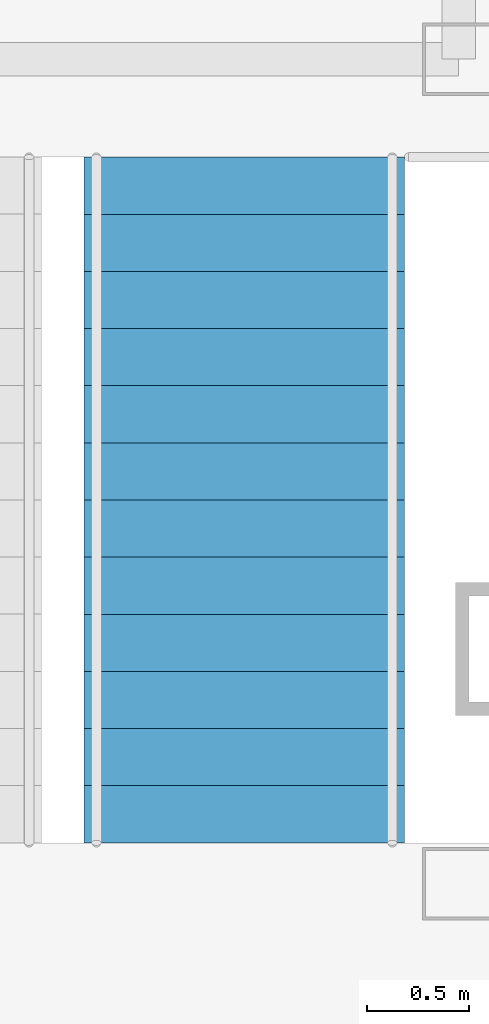
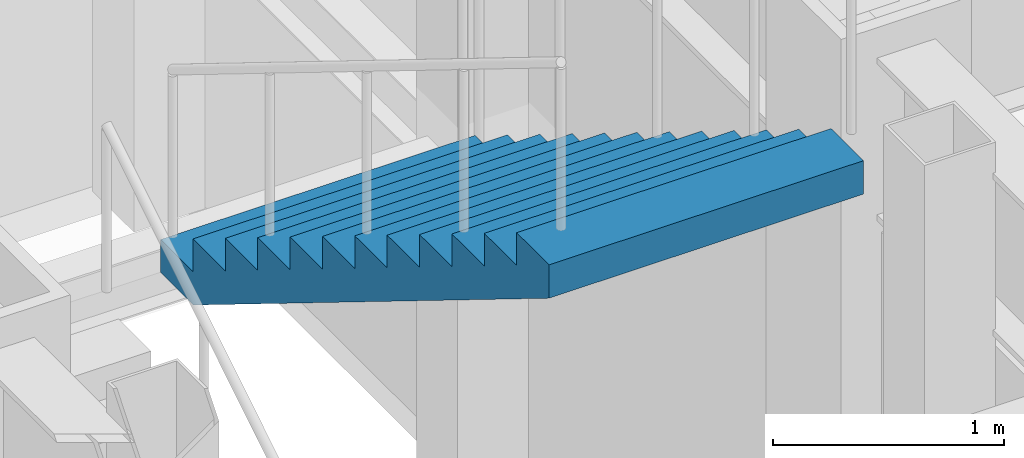
# One storey, part 13 of 24: 1 stair flight, 1 element without a shape of its own.
"""IFC4 building model written with IfcOpenShell, lengths in metres."""

from ifc_helpers import new_model, si_unit, direction, frame, origin, place, context, subcontext, project, spatial, faceted_brep, material, type_object, element, aggregate, save


model = new_model("IFC4")

# Units and contexts
model_context = context("Model", 3, precision=1e-05, world=origin(), true_north=direction((0.0, 1.0)))
body_context = subcontext(model_context, "Body", "Model", "MODEL_VIEW")
ifc_project = project(units=[si_unit("LENGTHUNIT", "METRE"), si_unit("AREAUNIT", "SQUARE_METRE"), si_unit("VOLUMEUNIT", "CUBIC_METRE"), si_unit("PLANEANGLEUNIT", "RADIAN"), si_unit("MASSUNIT", "GRAM", prefix="KILO")], contexts=[model_context])

# Site, building, storey
site_placement = place(None, origin())
site = spatial("IfcSite", under=ifc_project, at=site_placement, CompositionType="ELEMENT")
building_placement = place(site_placement, origin())
building = spatial("IfcBuilding", under=site, at=building_placement, Name="Chuquiago Exchange Tower", CompositionType="ELEMENT")
storey_placement = place(building_placement, frame((0.0, 0.0, 180.0)))
storey = spatial("IfcBuildingStorey", under=building, at=storey_placement, Name="L39", CompositionType="ELEMENT", Elevation=180.0)

# Stair, stair flight
ifc_material_1 = material(Name="Concrete C30/37, precast", Category="concrete")
stair_type = type_object("IfcStairType", Name="ST2 half-turn stair 4500", PredefinedType="HALF_TURN_STAIR", material=ifc_material_1)
stair_placement = place(storey_placement, origin())
stair = element("IfcStair", 1, at=stair_placement, inside=storey, type_object=stair_type, Name="Stair ST2 L39", PredefinedType="HALF_TURN_STAIR")
ifc_material_2 = material(Name="Concrete C30/37, precast", Category="concrete")
stair_flight_type = type_object("IfcStairFlightType", Name="ST-F flight 1570 for 4500 storey", PredefinedType="STRAIGHT", material=ifc_material_2)
stair_flight_placement = place(storey_placement, frame((31.639892578125, 26.409912109375, 2.25), z_axis=(0.0, 0.0, 1.0), x_axis=(0.0, -1.0, 0.0)))
stair_flight = element("IfcStairFlight", 2, at=stair_flight_placement, type_object=stair_flight_type, Name="ST2 flight 2", NumberOfRisers=13, NumberOfTreads=12, PredefinedType="STRAIGHT", RiserHeight=0.173076923, TreadLength=0.28, context=body_context, shape_type="Brep", body=[
    faceted_brep([(0.0, 0.78515625, 0.0), (0.0, 0.78515625, 0.173095703125), (0.280029296875, 0.78515625, 0.173095703125), (0.280029296875, 0.78515625, 0.34619140625), (0.56005859375, 0.78515625, 0.34619140625), (0.56005859375, 0.78515625, 0.519287109375), (0.840087890625, 0.78515625, 0.519287109375), (0.840087890625, 0.78515625, 0.6923828125), (1.1201171875, 0.78515625, 0.6923828125), (1.1201171875, 0.78515625, 0.865478515625), (1.39990234375, 0.78515625, 0.865478515625), (1.39990234375, 0.78515625, 1.03857421875), (1.679931640625, 0.78515625, 1.03857421875), (1.679931640625, 0.78515625, 1.21142578125), (1.9599609375, 0.78515625, 1.21142578125), (1.9599609375, 0.78515625, 1.384521484375), (2.239990234375, 0.78515625, 1.384521484375), (2.239990234375, 0.78515625, 1.5576171875), (2.52001953125, 0.78515625, 1.5576171875), (2.52001953125, 0.78515625, 1.730712890625), (2.800048828125, 0.78515625, 1.730712890625), (2.800048828125, 0.78515625, 1.90380859375), (3.080078125, 0.78515625, 1.90380859375), (3.080078125, 0.78515625, 2.076904296875), (3.360107421875, 0.78515625, 2.076904296875), (3.360107421875, 0.78515625, 1.900634765625), (0.28515625, 0.78515625, 0.0), (0.28515625, -0.78515625, 0.0), (3.360107421875, -0.78515625, 1.900634765625), (3.360107421875, -0.78515625, 2.076904296875), (3.080078125, -0.78515625, 2.076904296875), (3.080078125, -0.78515625, 1.90380859375), (2.800048828125, -0.78515625, 1.90380859375), (2.800048828125, -0.78515625, 1.730712890625), (2.52001953125, -0.78515625, 1.730712890625), (2.52001953125, -0.78515625, 1.5576171875), (2.239990234375, -0.78515625, 1.5576171875), (2.239990234375, -0.78515625, 1.384521484375), (1.9599609375, -0.78515625, 1.384521484375), (1.9599609375, -0.78515625, 1.21142578125), (1.679931640625, -0.78515625, 1.21142578125), (1.679931640625, -0.78515625, 1.03857421875), (1.39990234375, -0.78515625, 1.03857421875), (1.39990234375, -0.78515625, 0.865478515625), (1.1201171875, -0.78515625, 0.865478515625), (1.1201171875, -0.78515625, 0.6923828125), (0.840087890625, -0.78515625, 0.6923828125), (0.840087890625, -0.78515625, 0.519287109375), (0.56005859375, -0.78515625, 0.519287109375), (0.56005859375, -0.78515625, 0.34619140625), (0.280029296875, -0.78515625, 0.34619140625), (0.280029296875, -0.78515625, 0.173095703125), (0.0, -0.78515625, 0.173095703125), (0.0, -0.78515625, 0.0), (0.0, 0.392578125, 0.0), (0.0, 0.392578125, 0.173095703125), (0.0, 0.0, 0.0), (0.0, 0.0, 0.173095703125), (0.0, -0.392578125, 0.0), (0.0, -0.392578125, 0.173095703125), (0.280029296875, 0.392578125, 0.173095703125), (0.280029296875, 0.0, 0.173095703125), (0.280029296875, -0.392578125, 0.173095703125), (0.280029296875, 0.392578125, 0.34619140625), (0.280029296875, 0.0, 0.34619140625), (0.280029296875, -0.392578125, 0.34619140625), (0.56005859375, 0.392578125, 0.34619140625), (0.56005859375, 0.0, 0.34619140625), (0.56005859375, -0.392578125, 0.34619140625), (0.56005859375, 0.392578125, 0.519287109375), (0.56005859375, 0.0, 0.519287109375), (0.56005859375, -0.392578125, 0.519287109375), (0.840087890625, 0.392578125, 0.519287109375), (0.840087890625, 0.0, 0.519287109375), (0.840087890625, -0.392578125, 0.519287109375), (0.840087890625, 0.392578125, 0.6923828125), (0.840087890625, 0.0, 0.6923828125), (0.840087890625, -0.392578125, 0.6923828125), (1.1201171875, 0.392578125, 0.6923828125), (1.1201171875, 0.0, 0.6923828125), (1.1201171875, -0.392578125, 0.6923828125), (1.1201171875, 0.392578125, 0.865478515625), (1.1201171875, 0.0, 0.865478515625), (1.1201171875, -0.392578125, 0.865478515625), (1.39990234375, 0.392578125, 0.865478515625), (1.39990234375, 0.0, 0.865478515625), (1.39990234375, -0.392578125, 0.865478515625), (1.39990234375, 0.392578125, 1.03857421875), (1.39990234375, 0.0, 1.03857421875), (1.39990234375, -0.392578125, 1.03857421875), (1.679931640625, 0.392578125, 1.03857421875), (1.679931640625, 0.0, 1.03857421875), (1.679931640625, -0.392578125, 1.03857421875), (1.679931640625, 0.392578125, 1.21142578125), (1.679931640625, 0.0, 1.21142578125), (1.679931640625, -0.392578125, 1.21142578125), (1.9599609375, 0.392578125, 1.21142578125), (1.9599609375, 0.0, 1.21142578125), (1.9599609375, -0.392578125, 1.21142578125), (1.9599609375, 0.392578125, 1.384521484375), (1.9599609375, 0.0, 1.384521484375), (1.9599609375, -0.392578125, 1.384521484375), (2.239990234375, 0.392578125, 1.384521484375), (2.239990234375, 0.0, 1.384521484375), (2.239990234375, -0.392578125, 1.384521484375), (2.239990234375, 0.392578125, 1.5576171875), (2.239990234375, 0.0, 1.5576171875), (2.239990234375, -0.392578125, 1.5576171875), (2.52001953125, 0.392578125, 1.5576171875), (2.52001953125, 0.0, 1.5576171875), (2.52001953125, -0.392578125, 1.5576171875), (2.52001953125, 0.392578125, 1.730712890625), (2.52001953125, 0.0, 1.730712890625), (2.52001953125, -0.392578125, 1.730712890625), (2.800048828125, 0.392578125, 1.730712890625), (2.800048828125, 0.0, 1.730712890625), (2.800048828125, -0.392578125, 1.730712890625), (2.800048828125, 0.392578125, 1.90380859375), (2.800048828125, 0.0, 1.90380859375), (2.800048828125, -0.392578125, 1.90380859375), (3.080078125, 0.392578125, 1.90380859375), (3.080078125, 0.0, 1.90380859375), (3.080078125, -0.392578125, 1.90380859375), (3.080078125, 0.392578125, 2.076904296875), (3.080078125, 0.0, 2.076904296875), (3.080078125, -0.392578125, 2.076904296875), (3.360107421875, 0.392578125, 2.076904296875), (3.360107421875, 0.0, 2.076904296875), (3.360107421875, -0.392578125, 2.076904296875), (3.360107421875, 0.392578125, 1.900634765625), (3.360107421875, 0.0, 1.900634765625), (3.360107421875, -0.392578125, 1.900634765625), (0.28515625, 0.392578125, 0.0), (0.28515625, 0.0, 0.0), (0.28515625, -0.392578125, 0.0)], [[[0, 1, 2, 3, 4, 5, 6, 7, 8, 9, 10, 11, 12, 13, 14, 15, 16, 17, 18, 19, 20, 21, 22, 23, 24, 25, 26]], [[27, 28, 29, 30, 31, 32, 33, 34, 35, 36, 37, 38, 39, 40, 41, 42, 43, 44, 45, 46, 47, 48, 49, 50, 51, 52, 53]], [[1, 0, 54, 55]], [[55, 54, 56, 57]], [[57, 56, 58, 59]], [[59, 58, 53, 52]], [[2, 1, 55, 60]], [[60, 55, 57, 61]], [[61, 57, 59, 62]], [[62, 59, 52, 51]], [[3, 2, 60, 63]], [[63, 60, 61, 64]], [[64, 61, 62, 65]], [[65, 62, 51, 50]], [[4, 3, 63, 66]], [[66, 63, 64, 67]], [[67, 64, 65, 68]], [[68, 65, 50, 49]], [[5, 4, 66, 69]], [[69, 66, 67, 70]], [[70, 67, 68, 71]], [[71, 68, 49, 48]], [[6, 5, 69, 72]], [[72, 69, 70, 73]], [[73, 70, 71, 74]], [[74, 71, 48, 47]], [[7, 6, 72, 75]], [[75, 72, 73, 76]], [[76, 73, 74, 77]], [[77, 74, 47, 46]], [[8, 7, 75, 78]], [[78, 75, 76, 79]], [[79, 76, 77, 80]], [[80, 77, 46, 45]], [[9, 8, 78, 81]], [[81, 78, 79, 82]], [[82, 79, 80, 83]], [[83, 80, 45, 44]], [[10, 9, 81, 84]], [[84, 81, 82, 85]], [[85, 82, 83, 86]], [[86, 83, 44, 43]], [[11, 10, 84, 87]], [[87, 84, 85, 88]], [[88, 85, 86, 89]], [[89, 86, 43, 42]], [[12, 11, 87, 90]], [[90, 87, 88, 91]], [[91, 88, 89, 92]], [[92, 89, 42, 41]], [[13, 12, 90, 93]], [[93, 90, 91, 94]], [[94, 91, 92, 95]], [[95, 92, 41, 40]], [[14, 13, 93, 96]], [[96, 93, 94, 97]], [[97, 94, 95, 98]], [[98, 95, 40, 39]], [[15, 14, 96, 99]], [[99, 96, 97, 100]], [[100, 97, 98, 101]], [[101, 98, 39, 38]], [[16, 15, 99, 102]], [[102, 99, 100, 103]], [[103, 100, 101, 104]], [[104, 101, 38, 37]], [[17, 16, 102, 105]], [[105, 102, 103, 106]], [[106, 103, 104, 107]], [[107, 104, 37, 36]], [[18, 17, 105, 108]], [[108, 105, 106, 109]], [[109, 106, 107, 110]], [[110, 107, 36, 35]], [[19, 18, 108, 111]], [[111, 108, 109, 112]], [[112, 109, 110, 113]], [[113, 110, 35, 34]], [[20, 19, 111, 114]], [[114, 111, 112, 115]], [[115, 112, 113, 116]], [[116, 113, 34, 33]], [[21, 20, 114, 117]], [[117, 114, 115, 118]], [[118, 115, 116, 119]], [[119, 116, 33, 32]], [[22, 21, 117, 120]], [[120, 117, 118, 121]], [[121, 118, 119, 122]], [[122, 119, 32, 31]], [[23, 22, 120, 123]], [[123, 120, 121, 124]], [[124, 121, 122, 125]], [[125, 122, 31, 30]], [[24, 23, 123, 126]], [[126, 123, 124, 127]], [[127, 124, 125, 128]], [[128, 125, 30, 29]], [[25, 24, 126, 129]], [[129, 126, 127, 130]], [[130, 127, 128, 131]], [[131, 128, 29, 28]], [[26, 25, 129, 132]], [[132, 129, 130, 133]], [[133, 130, 131, 134]], [[134, 131, 28, 27]], [[0, 26, 132, 54]], [[54, 132, 133, 56]], [[56, 133, 134, 58]], [[58, 134, 27, 53]]]),
])
aggregate(stair, [stair_flight])

save(model, "model.ifc")
